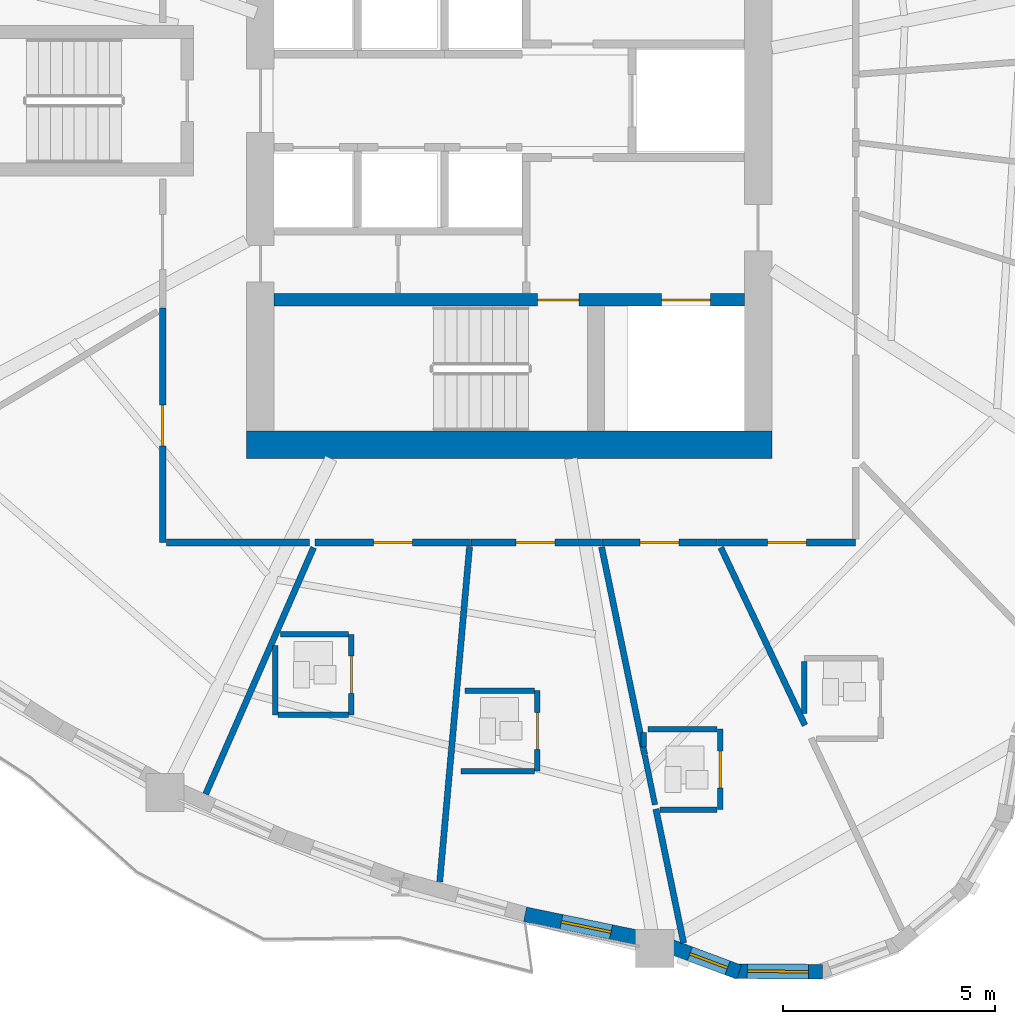
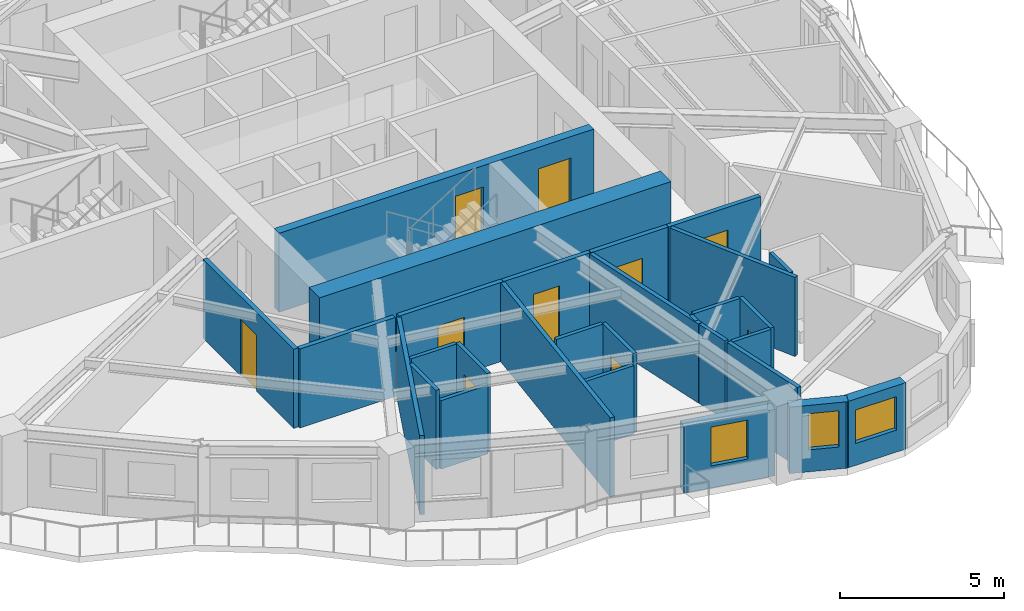
# One storey, part 5 of 14: 29 walls, 10 doors, 3 windows, 13 openings.
"""IFC4 building model written with IfcOpenShell, lengths in metres."""

from ifc_helpers import new_model, si_unit, direction, frame, frame_2d, origin, place, context, subcontext, project, spatial, rectangle, extrude, source, transform, mapped, material, layer, layer_set, type_object, element, fill, save


model = new_model("IFC4")

# Units and contexts
model_context = context("Model", 3, precision=1e-05, world=origin(), true_north=direction((0.0, 1.0)))
body_context = subcontext(model_context, "Body", "Model", "MODEL_VIEW")
ifc_project = project(units=[si_unit("LENGTHUNIT", "METRE"), si_unit("AREAUNIT", "SQUARE_METRE"), si_unit("VOLUMEUNIT", "CUBIC_METRE"), si_unit("PLANEANGLEUNIT", "RADIAN"), si_unit("MASSUNIT", "GRAM", prefix="KILO")], contexts=[model_context])

# Site, building, storey
site_placement = place(None, origin())
site = spatial("IfcSite", under=ifc_project, at=site_placement, CompositionType="ELEMENT")
building_placement = place(site_placement, origin())
building = spatial("IfcBuilding", under=site, at=building_placement, Name="Qafzar Sky-Pleat Residences", CompositionType="ELEMENT")
storey_placement = place(building_placement, frame((0.0, 0.0, 86.39990234375)))
storey = spatial("IfcBuildingStorey", under=building, at=storey_placement, Name="L25", CompositionType="ELEMENT", Elevation=86.39990234375)

# Wall, opening, door
ifc_material_1 = material(Name="Acoustic gypsum plasterboard partition", Category="gypsum")
ifc_layer_1 = layer(ifc_material_1, 0.159912109375)
ifc_layer_set_1 = layer_set([ifc_layer_1], Name="Acoustic gypsum plasterboard partition")
wall_type_1 = type_object("IfcWallType", Name="PART-COR-160", PredefinedType="PARTITIONING", material=ifc_layer_set_1)
wall_1_placement = place(storey_placement, frame((22.169921875, 15.570068359375, 0.0), z_axis=(0.0, 0.0, 1.0), x_axis=(0.0, 1.0, 0.0)))
wall_1 = element("IfcWall", 1, at=wall_1_placement, inside=storey, type_object=wall_type_1, Name="L25 Partition Wall PART-L25-PW-003", PredefinedType="PARTITIONING", context=body_context, shape_type="SweptSolid", body=[
    extrude(rectangle(XDim=5.54296875, YDim=0.159912109375, at=frame_2d((2.771484375, 0.0))), origin(), (0.0, 0.0, 1.0), 2.9501953125),
])
opening_1_placement = place(wall_1_placement, frame((2.282958984375, 0.0, 0.0)))
opening_1 = element("IfcOpeningElement", 2, at=opening_1_placement, cuts=wall_1, Name="Opening ID-06", PredefinedType="OPENING", context=body_context, shape_type="SweptSolid", body=[
    extrude(rectangle(XDim=0.9599609375, YDim=2.10009765625, at=frame_2d((0.47998046875, 1.050048828125))), frame((0.0, 0.08984375, 0.0), z_axis=(0.0, -1.0, 0.0), x_axis=(1.0, 0.0, 0.0)), (0.0, 0.0, 1.0), 0.179931640625),
])
ifc_material_2 = material(Name="Timber-faced fire door", Category="wood")
door_type_1 = type_object("IfcDoorType", Name="DR-STD-960", OperationType="NOTDEFINED", PredefinedType="DOOR", material=ifc_material_2)
shared_shape_1 = source(origin(), body_context, "Body", "SweptSolid", [
    extrude(rectangle(XDim=0.9599609375, YDim=2.10009765625, at=frame_2d((0.47998046875, 1.050048828125))), frame((0.0, 0.02490234375, 0.0), z_axis=(0.0, -1.0, 0.0), x_axis=(1.0, 0.0, 0.0)), (0.0, 0.0, 1.0), 0.050048828125),
])
door_1_placement = place(opening_1_placement, origin())
door_1 = element("IfcDoor", 3, at=door_1_placement, inside=storey, type_object=door_type_1, Name="L25 Scholar Co-Working Workspace Door", OperationType="SINGLE_SWING_LEFT", OverallHeight=2.10009765625, OverallWidth=0.9599609375, PredefinedType="DOOR", context=body_context, shape_type="MappedRepresentation", body=[
    mapped(shared_shape_1, transform((0.0, 0.0, 0.0), x_axis=(1.0, 0.0, 0.0), y_axis=(0.0, 1.0, 0.0), z_axis=(0.0, 0.0, 1.0), scale=1.0)),
])
fill(opening_1, door_1)

wall_2_placement = place(storey_placement, frame((29.43798828125, 15.570068359375, 0.0), z_axis=(0.0, 0.0, 1.0), x_axis=(-1.0, 0.0, 0.0)))
wall_2 = element("IfcWall", 4, at=wall_2_placement, inside=storey, type_object=wall_type_1, Name="L25 Partition Wall PART-L25-PW-009", PredefinedType="PARTITIONING", context=body_context, shape_type="SweptSolid", body=[
    extrude(rectangle(XDim=3.669921875, YDim=0.159912109375, at=frame_2d((1.8349609375, 0.0))), origin(), (0.0, 0.0, 1.0), 2.9501953125),
])
opening_2_placement = place(wall_2_placement, frame((1.3740234375, 0.0, 0.0)))
opening_2 = element("IfcOpeningElement", 5, at=opening_2_placement, cuts=wall_2, Name="Opening ID-04", PredefinedType="OPENING", context=body_context, shape_type="SweptSolid", body=[
    extrude(rectangle(XDim=0.919921875, YDim=2.10009765625, at=frame_2d((0.4599609375, 1.050048828125))), frame((0.0, 0.08984375, 0.0), z_axis=(0.0, -1.0, 0.0), x_axis=(1.0, 0.0, 0.0)), (0.0, 0.0, 1.0), 0.179931640625),
])
door_type_2 = type_object("IfcDoorType", Name="DR-BED-920", OperationType="NOTDEFINED", PredefinedType="DOOR", material=ifc_material_2)
shared_shape_2 = source(origin(), body_context, "Body", "SweptSolid", [
    extrude(rectangle(XDim=0.919921875, YDim=2.10009765625, at=frame_2d((0.4599609375, 1.050048828125))), frame((0.0, 0.02490234375, 0.0), z_axis=(0.0, -1.0, 0.0), x_axis=(1.0, 0.0, 0.0)), (0.0, 0.0, 1.0), 0.050048828125),
])
door_2_placement = place(opening_2_placement, origin())
door_2 = element("IfcDoor", 6, at=door_2_placement, inside=storey, type_object=door_type_2, Name="L25 Co-Living Bedroom 1 Door", OperationType="SINGLE_SWING_RIGHT", OverallHeight=2.10009765625, OverallWidth=0.919921875, PredefinedType="DOOR", context=body_context, shape_type="MappedRepresentation", body=[
    mapped(shared_shape_2, transform((0.0, 0.0, 0.0), x_axis=(1.0, 0.0, 0.0), y_axis=(0.0, 1.0, 0.0), z_axis=(0.0, 0.0, 1.0), scale=1.0)),
])
fill(opening_2, door_2)

wall_3_placement = place(storey_placement, frame((38.530029296875, 15.570068359375, 0.0), z_axis=(0.0, 0.0, 1.0), x_axis=(-1.0, 0.0, 0.0)))
wall_3 = element("IfcWall", 7, at=wall_3_placement, inside=storey, type_object=wall_type_1, Name="L25 Partition Wall PART-L25-PW-011", PredefinedType="PARTITIONING", context=body_context, shape_type="SweptSolid", body=[
    extrude(rectangle(XDim=3.257080078125, YDim=0.159912109375, at=frame_2d((1.62841796875, 0.0))), origin(), (0.0, 0.0, 1.0), 2.9501953125),
])
opening_3_placement = place(wall_3_placement, frame((1.159912109375, 0.0, 0.0)))
opening_3 = element("IfcOpeningElement", 8, at=opening_3_placement, cuts=wall_3, Name="Opening ID-04", PredefinedType="OPENING", context=body_context, shape_type="SweptSolid", body=[
    extrude(rectangle(XDim=0.919921875, YDim=2.10009765625, at=frame_2d((0.4599609375, 1.050048828125))), frame((0.0, 0.08984375, 0.0), z_axis=(0.0, -1.0, 0.0), x_axis=(1.0, 0.0, 0.0)), (0.0, 0.0, 1.0), 0.179931640625),
])
door_3_placement = place(opening_3_placement, origin())
door_3 = element("IfcDoor", 9, at=door_3_placement, inside=storey, type_object=door_type_2, Name="L25 Co-Living Bedroom 4 Door", OperationType="SINGLE_SWING_RIGHT", OverallHeight=2.10009765625, OverallWidth=0.919921875, PredefinedType="DOOR", context=body_context, shape_type="MappedRepresentation", body=[
    mapped(shared_shape_2, transform((0.0, 0.0, 0.0), x_axis=(1.0, 0.0, 0.0), y_axis=(0.0, 1.0, 0.0), z_axis=(0.0, 0.0, 1.0), scale=1.0)),
])
fill(opening_3, door_3)

wall_4_placement = place(storey_placement, frame((32.52490234375, 15.570068359375, 0.0), z_axis=(0.0, 0.0, 1.0), x_axis=(-1.0, 0.0, 0.0)))
wall_4 = element("IfcWall", 10, at=wall_4_placement, inside=storey, type_object=wall_type_1, Name="L25 Partition Wall PART-L25-PW-013", PredefinedType="PARTITIONING", context=body_context, shape_type="SweptSolid", body=[
    extrude(rectangle(XDim=3.072021484375, YDim=0.159912109375, at=frame_2d((1.5361328125, 0.0))), origin(), (0.0, 0.0, 1.0), 2.9501953125),
])
opening_4_placement = place(wall_4_placement, frame((1.098388671875, 0.0, 0.0)))
opening_4 = element("IfcOpeningElement", 11, at=opening_4_placement, cuts=wall_4, Name="Opening ID-04", PredefinedType="OPENING", context=body_context, shape_type="SweptSolid", body=[
    extrude(rectangle(XDim=0.919921875, YDim=2.10009765625, at=frame_2d((0.4599609375, 1.050048828125))), frame((0.0, 0.08984375, 0.0), z_axis=(0.0, -1.0, 0.0), x_axis=(1.0, 0.0, 0.0)), (0.0, 0.0, 1.0), 0.179931640625),
])
door_4_placement = place(opening_4_placement, origin())
door_4 = element("IfcDoor", 12, at=door_4_placement, inside=storey, type_object=door_type_2, Name="L25 Co-Living Bedroom 2 Door", OperationType="SINGLE_SWING_LEFT", OverallHeight=2.10009765625, OverallWidth=0.919921875, PredefinedType="DOOR", context=body_context, shape_type="MappedRepresentation", body=[
    mapped(shared_shape_2, transform((0.0, 0.0, 0.0), x_axis=(1.0, 0.0, 0.0), y_axis=(0.0, 1.0, 0.0), z_axis=(0.0, 0.0, 1.0), scale=1.0)),
])
fill(opening_4, door_4)

wall_5_placement = place(storey_placement, frame((35.258056640625, 15.570068359375, 0.0), z_axis=(0.0, 0.0, 1.0), x_axis=(-1.0, 0.0, 0.0)))
wall_5 = element("IfcWall", 13, at=wall_5_placement, inside=storey, type_object=wall_type_1, Name="L25 Partition Wall PART-L25-PW-016", PredefinedType="PARTITIONING", context=body_context, shape_type="SweptSolid", body=[
    extrude(rectangle(XDim=2.718017578125, YDim=0.159912109375, at=frame_2d((1.35888671875, 0.0))), origin(), (0.0, 0.0, 1.0), 2.9501953125),
])
opening_5_placement = place(wall_5_placement, frame((0.89794921875, 0.0, 0.0)))
opening_5 = element("IfcOpeningElement", 14, at=opening_5_placement, cuts=wall_5, Name="Opening ID-04", PredefinedType="OPENING", context=body_context, shape_type="SweptSolid", body=[
    extrude(rectangle(XDim=0.919921875, YDim=2.10009765625, at=frame_2d((0.4599609375, 1.050048828125))), frame((0.0, 0.08984375, 0.0), z_axis=(0.0, -1.0, 0.0), x_axis=(1.0, 0.0, 0.0)), (0.0, 0.0, 1.0), 0.179931640625),
])
door_5_placement = place(opening_5_placement, origin())
door_5 = element("IfcDoor", 15, at=door_5_placement, inside=storey, type_object=door_type_2, Name="L25 Co-Living Bedroom 3 Door", OperationType="SINGLE_SWING_RIGHT", OverallHeight=2.10009765625, OverallWidth=0.919921875, PredefinedType="DOOR", context=body_context, shape_type="MappedRepresentation", body=[
    mapped(shared_shape_2, transform((0.0, 0.0, 0.0), x_axis=(1.0, 0.0, 0.0), y_axis=(0.0, 1.0, 0.0), z_axis=(0.0, 0.0, 1.0), scale=1.0)),
])
fill(opening_5, door_5)

# Walls
wall_6_placement = place(storey_placement, frame((22.258056640625, 15.570068359375, 0.0), z_axis=(0.0, 0.0, 1.0), x_axis=(1.0, 0.0, 0.0)))
element("IfcWall", 16, at=wall_6_placement, inside=storey, type_object=wall_type_1, Name="L25 Partition Wall PART-L25-PW-043", PredefinedType="PARTITIONING", context=body_context, shape_type="SweptSolid", body=[
    extrude(rectangle(XDim=3.372802734375, YDim=0.159912109375, at=frame_2d((1.6865234375, 0.0))), origin(), (0.0, 0.0, 1.0), 2.9501953125),
])
ifc_layer_2 = layer(ifc_material_1, 0.14501953125)
ifc_layer_set_2 = layer_set([ifc_layer_2], Name="Acoustic gypsum plasterboard partition")
wall_type_2 = type_object("IfcWallType", Name="PART-UNIT-145", PredefinedType="PARTITIONING", material=ifc_layer_set_2)
wall_7_placement = place(storey_placement, frame((28.710693359375, 7.56396484375, 0.0), z_axis=(0.0, 0.0, 1.0), x_axis=(0.088615013812, 0.996065951294, 0.0)))
element("IfcWall", 17, at=wall_7_placement, inside=storey, type_object=wall_type_2, Name="L25 Partition Wall PART-L25-PW-028", PredefinedType="PARTITIONING", context=body_context, shape_type="SweptSolid", body=[
    extrude(rectangle(XDim=7.94287109375, YDim=0.14501953125, at=frame_2d((3.971435546875, 0.0))), origin(), (0.0, 0.0, 1.0), 2.9501953125),
])
wall_8_placement = place(storey_placement, frame((23.186279296875, 9.633544921875, 0.0), z_axis=(0.0, 0.0, 1.0), x_axis=(0.400994208685, 0.916080588486, 0.0)))
element("IfcWall", 18, at=wall_8_placement, inside=storey, type_object=wall_type_2, Name="L25 Partition Wall PART-L25-PW-033", PredefinedType="PARTITIONING", context=body_context, shape_type="SweptSolid", body=[
    extrude(rectangle(XDim=6.353271484375, YDim=0.14501953125, at=frame_2d((3.1767578125, 0.0))), origin(), (0.0, 0.0, 1.0), 2.9501953125),
])
wall_9_placement = place(storey_placement, frame((32.53125, 15.467529296875, 0.0), z_axis=(0.0, 0.0, 1.0), x_axis=(0.202792769077, -0.979221677053, 0.0)))
element("IfcWall", 19, at=wall_9_placement, inside=storey, type_object=wall_type_2, Name="L25 Partition Wall PART-L25-PW-038", PredefinedType="PARTITIONING", context=body_context, shape_type="SweptSolid", body=[
    extrude(rectangle(XDim=5.00341796875, YDim=0.14501953125, at=frame_2d((2.501708984375, 0.0))), origin(), (0.0, 0.0, 1.0), 2.9501953125),
])
wall_10_placement = place(storey_placement, frame((35.345947265625, 15.45166015625, 0.0), z_axis=(0.0, 0.0, 1.0), x_axis=(0.428023015228, -0.903767834366, 0.0)))
element("IfcWall", 20, at=wall_10_placement, inside=storey, type_object=wall_type_2, Name="L25 Partition Wall PART-L25-PW-040", PredefinedType="PARTITIONING", context=body_context, shape_type="SweptSolid", body=[
    extrude(rectangle(XDim=4.64013671875, YDim=0.14501953125, at=frame_2d((2.320068359375, 0.0))), origin(), (0.0, 0.0, 1.0), 2.9501953125),
])
wall_11_placement = place(storey_placement, frame((33.81298828125, 9.280029296875, 0.0), z_axis=(0.0, 0.0, 1.0), x_axis=(0.202648062782, -0.979251633979, 0.0)))
element("IfcWall", 21, at=wall_11_placement, inside=storey, type_object=wall_type_2, Name="L25 Partition Wall PART-L25-PW-046", PredefinedType="PARTITIONING", context=body_context, shape_type="SweptSolid", body=[
    extrude(rectangle(XDim=3.232421875, YDim=0.14501953125, at=frame_2d((1.6162109375, 0.0))), origin(), (0.0, 0.0, 1.0), 2.9501953125),
])

# Wall, opening, door
ifc_material_3 = material(Name="Moisture-resistant gypsum partition", Category="gypsum")
ifc_layer_3 = layer(ifc_material_3, 0.1298828125)
ifc_layer_set_3 = layer_set([ifc_layer_3], Name="Moisture-resistant gypsum partition")
wall_type_3 = type_object("IfcWallType", Name="PART-WET-130", PredefinedType="PARTITIONING", material=ifc_layer_set_3)
wall_12_placement = place(storey_placement, frame((26.625, 11.5, 0.0), z_axis=(0.0, 0.0, 1.0), x_axis=(0.0, 1.0, 0.0)))
wall_12 = element("IfcWall", 22, at=wall_12_placement, inside=storey, type_object=wall_type_3, Name="L25 Partition Wall PART-L25-PW-018", PredefinedType="PARTITIONING", context=body_context, shape_type="SweptSolid", body=[
    extrude(rectangle(XDim=1.89990234375, YDim=0.1298828125, at=frame_2d((0.949951171875, 0.0))), origin(), (0.0, 0.0, 1.0), 2.9501953125),
])
opening_6_placement = place(wall_12_placement, frame((0.510009765625, 0.0, 0.0)))
opening_6 = element("IfcOpeningElement", 23, at=opening_6_placement, cuts=wall_12, Name="Opening ID-07", PredefinedType="OPENING", context=body_context, shape_type="SweptSolid", body=[
    extrude(rectangle(XDim=0.8798828125, YDim=2.050048828125, at=frame_2d((0.43994140625, 1.02490234375))), frame((0.0, 0.074951171875, 0.0), z_axis=(0.0, -1.0, 0.0), x_axis=(1.0, 0.0, 0.0)), (0.0, 0.0, 1.0), 0.14990234375),
])
door_type_3 = type_object("IfcDoorType", Name="DR-WET-880", OperationType="NOTDEFINED", PredefinedType="DOOR", material=ifc_material_2)
shared_shape_3 = source(origin(), body_context, "Body", "SweptSolid", [
    extrude(rectangle(XDim=0.8798828125, YDim=2.050048828125, at=frame_2d((0.43994140625, 1.02490234375))), frame((0.0, 0.02490234375, 0.0), z_axis=(0.0, -1.0, 0.0), x_axis=(1.0, 0.0, 0.0)), (0.0, 0.0, 1.0), 0.050048828125),
])
door_6_placement = place(opening_6_placement, origin())
door_6 = element("IfcDoor", 24, at=door_6_placement, inside=storey, type_object=door_type_3, Name="L25 En-suite Bathroom 1 Door", OperationType="SINGLE_SWING_RIGHT", OverallHeight=2.050048828125, OverallWidth=0.8798828125, PredefinedType="DOOR", context=body_context, shape_type="MappedRepresentation", body=[
    mapped(shared_shape_3, transform((0.0, 0.0, 0.0), x_axis=(1.0, 0.0, 0.0), y_axis=(0.0, 1.0, 0.0), z_axis=(0.0, 0.0, 1.0), scale=1.0)),
])
fill(opening_6, door_6)

wall_13_placement = place(storey_placement, frame((31.01806640625, 10.174072265625, 0.0), z_axis=(0.0, 0.0, 1.0), x_axis=(0.0, 1.0, 0.0)))
wall_13 = element("IfcWall", 25, at=wall_13_placement, inside=storey, type_object=wall_type_3, Name="L25 Partition Wall PART-L25-PW-019", PredefinedType="PARTITIONING", context=body_context, shape_type="SweptSolid", body=[
    extrude(rectangle(XDim=1.89990234375, YDim=0.1298828125, at=frame_2d((0.949951171875, 0.0))), origin(), (0.0, 0.0, 1.0), 2.9501953125),
])
opening_7_placement = place(wall_13_placement, frame((0.510009765625, 0.0, 0.0)))
opening_7 = element("IfcOpeningElement", 26, at=opening_7_placement, cuts=wall_13, Name="Opening ID-07", PredefinedType="OPENING", context=body_context, shape_type="SweptSolid", body=[
    extrude(rectangle(XDim=0.8798828125, YDim=2.050048828125, at=frame_2d((0.43994140625, 1.02490234375))), frame((0.0, 0.074951171875, 0.0), z_axis=(0.0, -1.0, 0.0), x_axis=(1.0, 0.0, 0.0)), (0.0, 0.0, 1.0), 0.14990234375),
])
door_7_placement = place(opening_7_placement, origin())
door_7 = element("IfcDoor", 27, at=door_7_placement, inside=storey, type_object=door_type_3, Name="L25 En-suite Bathroom 2 Door", OperationType="SINGLE_SWING_LEFT", OverallHeight=2.050048828125, OverallWidth=0.8798828125, PredefinedType="DOOR", context=body_context, shape_type="MappedRepresentation", body=[
    mapped(shared_shape_3, transform((0.0, 0.0, 0.0), x_axis=(1.0, 0.0, 0.0), y_axis=(0.0, 1.0, 0.0), z_axis=(0.0, 0.0, 1.0), scale=1.0)),
])
fill(opening_7, door_7)

wall_14_placement = place(storey_placement, frame((35.3310546875, 9.264892578125, 0.0), z_axis=(0.0, 0.0, 1.0), x_axis=(0.0, 1.0, 0.0)))
wall_14 = element("IfcWall", 28, at=wall_14_placement, inside=storey, type_object=wall_type_3, Name="L25 Partition Wall PART-L25-PW-021", PredefinedType="PARTITIONING", context=body_context, shape_type="SweptSolid", body=[
    extrude(rectangle(XDim=1.900146484375, YDim=0.1298828125, at=frame_2d((0.9501953125, 0.0))), origin(), (0.0, 0.0, 1.0), 2.9501953125),
])
opening_8_placement = place(wall_14_placement, frame((0.510009765625, 0.0, 0.0)))
opening_8 = element("IfcOpeningElement", 29, at=opening_8_placement, cuts=wall_14, Name="Opening ID-07", PredefinedType="OPENING", context=body_context, shape_type="SweptSolid", body=[
    extrude(rectangle(XDim=0.8798828125, YDim=2.050048828125, at=frame_2d((0.43994140625, 1.02490234375))), frame((0.0, 0.074951171875, 0.0), z_axis=(0.0, -1.0, 0.0), x_axis=(1.0, 0.0, 0.0)), (0.0, 0.0, 1.0), 0.14990234375),
])
door_8_placement = place(opening_8_placement, origin())
door_8 = element("IfcDoor", 30, at=door_8_placement, inside=storey, type_object=door_type_3, Name="L25 En-suite Bathroom 3 Door", OperationType="SINGLE_SWING_LEFT", OverallHeight=2.050048828125, OverallWidth=0.8798828125, PredefinedType="DOOR", context=body_context, shape_type="MappedRepresentation", body=[
    mapped(shared_shape_3, transform((0.0, 0.0, 0.0), x_axis=(1.0, 0.0, 0.0), y_axis=(0.0, 1.0, 0.0), z_axis=(0.0, 0.0, 1.0), scale=1.0)),
])
fill(opening_8, door_8)

# Walls
wall_15_placement = place(storey_placement, frame((24.824951171875, 11.5, 0.0), z_axis=(0.0, 0.0, 1.0), x_axis=(0.0, 1.0, 0.0)))
element("IfcWall", 31, at=wall_15_placement, inside=storey, type_object=wall_type_3, Name="L25 Partition Wall PART-L25-PW-050", PredefinedType="PARTITIONING", context=body_context, shape_type="SweptSolid", body=[
    extrude(rectangle(XDim=1.636962890625, YDim=0.1298828125, at=frame_2d((0.818359375, 0.0))), origin(), (0.0, 0.0, 1.0), 2.9501953125),
])
wall_16_placement = place(storey_placement, frame((33.62646484375, 11.1650390625, 0.0), z_axis=(0.0, 0.0, 1.0), x_axis=(1.0, 0.0, 0.0)))
element("IfcWall", 32, at=wall_16_placement, inside=storey, type_object=wall_type_3, Name="L25 Partition Wall PART-L25-PW-051", PredefinedType="PARTITIONING", context=body_context, shape_type="SweptSolid", body=[
    extrude(rectangle(XDim=1.631591796875, YDim=0.1298828125, at=frame_2d((0.81591796875, 0.0))), origin(), (0.0, 0.0, 1.0), 2.9501953125),
])
wall_17_placement = place(storey_placement, frame((24.89794921875, 11.5, 0.0), z_axis=(0.0, 0.0, 1.0), x_axis=(1.0, 0.0, 0.0)))
element("IfcWall", 33, at=wall_17_placement, inside=storey, type_object=wall_type_3, Name="L25 Partition Wall PART-L25-PW-052", PredefinedType="PARTITIONING", context=body_context, shape_type="SweptSolid", body=[
    extrude(rectangle(XDim=1.654052734375, YDim=0.1298828125, at=frame_2d((0.8271484375, 0.0))), origin(), (0.0, 0.0, 1.0), 2.55810546875),
])
wall_18_placement = place(storey_placement, frame((29.3046875, 12.073974609375, 0.0), z_axis=(0.0, 0.0, 1.0), x_axis=(1.0, 0.0, 0.0)))
element("IfcWall", 34, at=wall_18_placement, inside=storey, type_object=wall_type_3, Name="L25 Partition Wall PART-L25-PW-053", PredefinedType="PARTITIONING", context=body_context, shape_type="SweptSolid", body=[
    extrude(rectangle(XDim=1.640380859375, YDim=0.1298828125, at=frame_2d((0.8203125, 0.0))), origin(), (0.0, 0.0, 1.0), 2.9501953125),
])
wall_19_placement = place(storey_placement, frame((29.218017578125, 10.174072265625, 0.0), z_axis=(0.0, 0.0, 1.0), x_axis=(1.0, 0.0, 0.0)))
element("IfcWall", 35, at=wall_19_placement, inside=storey, type_object=wall_type_3, Name="L25 Partition Wall PART-L25-PW-054", PredefinedType="PARTITIONING", context=body_context, shape_type="SweptSolid", body=[
    extrude(rectangle(XDim=1.72705078125, YDim=0.1298828125, at=frame_2d((0.863525390625, 0.0))), origin(), (0.0, 0.0, 1.0), 2.55810546875),
])
wall_20_placement = place(storey_placement, frame((24.95068359375, 13.39990234375, 0.0), z_axis=(0.0, 0.0, 1.0), x_axis=(1.0, 0.0, 0.0)))
element("IfcWall", 36, at=wall_20_placement, inside=storey, type_object=wall_type_3, Name="L25 Partition Wall PART-L25-PW-058", PredefinedType="PARTITIONING", context=body_context, shape_type="SweptSolid", body=[
    extrude(rectangle(XDim=1.601318359375, YDim=0.1298828125, at=frame_2d((0.80078125, 0.0))), origin(), (0.0, 0.0, 1.0), 2.9501953125),
])
wall_21_placement = place(storey_placement, frame((37.31689453125, 11.530029296875, 0.0), z_axis=(0.0, 0.0, 1.0), x_axis=(0.0, 1.0, 0.0)))
element("IfcWall", 37, at=wall_21_placement, inside=storey, type_object=wall_type_3, Name="L25 Partition Wall PART-L25-PW-060", PredefinedType="PARTITIONING", context=body_context, shape_type="SweptSolid", body=[
    extrude(rectangle(XDim=1.236083984375, YDim=0.1298828125, at=frame_2d((0.6181640625, 0.0))), origin(), (0.0, 0.0, 1.0), 2.9501953125),
])
wall_22_placement = place(storey_placement, frame((33.91162109375, 9.264892578125, 0.0), z_axis=(0.0, 0.0, 1.0), x_axis=(1.0, 0.0, 0.0)))
element("IfcWall", 38, at=wall_22_placement, inside=storey, type_object=wall_type_3, Name="L25 Partition Wall PART-L25-PW-061", PredefinedType="PARTITIONING", context=body_context, shape_type="SweptSolid", body=[
    extrude(rectangle(XDim=1.346435546875, YDim=0.1298828125, at=frame_2d((0.67333984375, 0.0))), origin(), (0.0, 0.0, 1.0), 2.9501953125),
])
wall_23_placement = place(storey_placement, frame((33.549072265625, 10.55322265625, 0.0), z_axis=(0.0, 0.0, 1.0), x_axis=(0.202855035592, -0.97920877985, 0.0)))
element("IfcWall", 39, at=wall_23_placement, inside=storey, type_object=wall_type_3, Name="L25 Partition Wall PART-L25-PW-067", PredefinedType="PARTITIONING", context=body_context, shape_type="SweptSolid", body=[
    extrude(rectangle(XDim=1.197509765625, YDim=0.1298828125, at=frame_2d((0.5986328125, 0.0))), origin(), (0.0, 0.0, 1.0), 2.9501953125),
])
wall_24_placement = place(storey_placement, frame((33.531005859375, 10.741943359375, 0.0), z_axis=(0.0, 0.0, 1.0), x_axis=(0.0, 1.0, 0.0)))
element("IfcWall", 40, at=wall_24_placement, inside=storey, type_object=wall_type_3, Name="L25 Partition Wall PART-L25-PW-071", PredefinedType="PARTITIONING", context=body_context, shape_type="SweptSolid", body=[
    extrude(rectangle(XDim=0.35009765625, YDim=0.1298828125, at=frame_2d((0.175048828125, 0.0))), origin(), (0.0, 0.0, 1.0), 2.9501953125),
])

# Wall, opening, window
ifc_material_4 = material(Name="Precast concrete C40/50 with honed Riyadh limestone", Category="concrete")
ifc_layer_4 = layer(ifc_material_4, 0.35009765625)
ifc_layer_set_4 = layer_set([ifc_layer_4], Name="Precast concrete C40/50 with honed Riyadh limestone")
wall_type_4 = type_object("IfcWallType", Name="WALL-EXT-350", PredefinedType="SOLIDWALL", material=ifc_layer_set_4)
wall_25_placement = place(storey_placement, frame((30.723876953125, 6.794189453125, 0.0), z_axis=(0.0, 0.0, 1.0), x_axis=(0.979439663571, -0.201737317878, 0.0)))
wall_25 = element("IfcWall", 41, at=wall_25_placement, inside=storey, type_object=wall_type_4, Name="L25 Limestone Facade Wall 16", PredefinedType="SOLIDWALL", context=body_context, shape_type="SweptSolid", body=[
    extrude(rectangle(XDim=2.938232421875, YDim=0.35009765625, at=frame_2d((1.46923828125, 0.0))), origin(), (0.0, 0.0, 1.0), 2.47998046875),
])
opening_9_placement = place(wall_25_placement, frame((0.874267578125, 0.0, 0.820068359375)))
opening_9 = element("IfcOpeningElement", 42, at=opening_9_placement, cuts=wall_25, Name="Opening WN-05", PredefinedType="OPENING", context=body_context, shape_type="SweptSolid", body=[
    extrude(rectangle(XDim=1.199951171875, YDim=1.449951171875, at=frame_2d((0.60009765625, 0.72509765625))), frame((0.0, 0.18505859375, 0.0), z_axis=(0.0, -1.0, 0.0), x_axis=(1.0, 0.0, 0.0)), (0.0, 0.0, 1.0), 0.3701171875),
])
ifc_material_5 = material(Name="Solar-control low-E glass in bronze aluminium frame", Category="glass")
window_type_1 = type_object("IfcWindowType", Name="WIN-05", PartitioningType="SINGLE_PANEL", PredefinedType="WINDOW", material=ifc_material_5)
shared_shape_4 = source(origin(), body_context, "Body", "SweptSolid", [
    extrude(rectangle(XDim=1.199951171875, YDim=1.449951171875, at=frame_2d((0.60009765625, 0.72509765625))), frame((0.0, 0.030029296875, 0.0), z_axis=(0.0, -1.0, 0.0), x_axis=(1.0, 0.0, 0.0)), (0.0, 0.0, 1.0), 0.06005859375),
])
window_1_placement = place(opening_9_placement, origin())
window_1 = element("IfcWindow", 43, at=window_1_placement, inside=storey, type_object=window_type_1, Name="L25 Punched Facade Window 16", OverallHeight=1.449951171875, OverallWidth=1.199951171875, PartitioningType="SINGLE_PANEL", PredefinedType="WINDOW", context=body_context, shape_type="MappedRepresentation", body=[
    mapped(shared_shape_4, transform((0.0, 0.0, 0.0), x_axis=(1.0, 0.0, 0.0), y_axis=(0.0, 1.0, 0.0), z_axis=(0.0, 0.0, 1.0), scale=1.0)),
])
fill(opening_9, window_1)

wall_26_placement = place(storey_placement, frame((34.05908203125, 6.06982421875, 0.0), z_axis=(0.0, 0.0, 1.0), x_axis=(0.936803747811, -0.349855310219, 0.0)))
wall_26 = element("IfcWall", 44, at=wall_26_placement, inside=storey, type_object=wall_type_4, Name="L25 Limestone Facade Wall 17", PredefinedType="SOLIDWALL", context=body_context, shape_type="SweptSolid", body=[
    extrude(rectangle(XDim=1.8359375, YDim=0.35009765625, at=frame_2d((0.91796875, 0.0))), origin(), (0.0, 0.0, 1.0), 2.47998046875),
])
opening_10_placement = place(wall_26_placement, frame((0.59326171875, 0.0, 0.820068359375)))
opening_10 = element("IfcOpeningElement", 45, at=opening_10_placement, cuts=wall_26, Name="Opening WN-12", PredefinedType="OPENING", context=body_context, shape_type="SweptSolid", body=[
    extrude(rectangle(XDim=0.949951171875, YDim=1.35009765625, at=frame_2d((0.47509765625, 0.675048828125))), frame((0.0, 0.18505859375, 0.0), z_axis=(0.0, -1.0, 0.0), x_axis=(1.0, 0.0, 0.0)), (0.0, 0.0, 1.0), 0.3701171875),
])
window_type_2 = type_object("IfcWindowType", Name="WIN-12", PartitioningType="SINGLE_PANEL", PredefinedType="WINDOW", material=ifc_material_5)
shared_shape_5 = source(origin(), body_context, "Body", "SweptSolid", [
    extrude(rectangle(XDim=0.949951171875, YDim=1.35009765625, at=frame_2d((0.47509765625, 0.675048828125))), frame((0.0, 0.030029296875, 0.0), z_axis=(0.0, -1.0, 0.0), x_axis=(1.0, 0.0, 0.0)), (0.0, 0.0, 1.0), 0.06005859375),
])
window_2_placement = place(opening_10_placement, origin())
window_2 = element("IfcWindow", 46, at=window_2_placement, inside=storey, type_object=window_type_2, Name="L25 Punched Facade Window 17", OverallHeight=1.35009765625, OverallWidth=0.949951171875, PartitioningType="SINGLE_PANEL", PredefinedType="WINDOW", context=body_context, shape_type="MappedRepresentation", body=[
    mapped(shared_shape_5, transform((0.0, 0.0, 0.0), x_axis=(1.0, 0.0, 0.0), y_axis=(0.0, 1.0, 0.0), z_axis=(0.0, 0.0, 1.0), scale=1.0)),
])
fill(opening_10, window_2)

wall_27_placement = place(storey_placement, frame((35.6455078125, 5.4521484375, 0.0), z_axis=(0.0, 0.0, 1.0), x_axis=(0.999976451414, -0.006862697526, 0.0)))
wall_27 = element("IfcWall", 47, at=wall_27_placement, inside=storey, type_object=wall_type_4, Name="L25 Limestone Facade Wall 18", PredefinedType="SOLIDWALL", context=body_context, shape_type="SweptSolid", body=[
    extrude(rectangle(XDim=2.098876953125, YDim=0.35009765625, at=frame_2d((1.04931640625, 0.0))), origin(), (0.0, 0.0, 1.0), 2.47998046875),
])
opening_11_placement = place(wall_27_placement, frame((0.324462890625, 0.0, 0.820068359375)))
opening_11 = element("IfcOpeningElement", 48, at=opening_11_placement, cuts=wall_27, Name="Opening WN-15", PredefinedType="OPENING", context=body_context, shape_type="SweptSolid", body=[
    extrude(rectangle(XDim=1.449951171875, YDim=1.25, at=frame_2d((0.72509765625, 0.625))), frame((0.0, 0.18505859375, 0.0), z_axis=(0.0, -1.0, 0.0), x_axis=(1.0, 0.0, 0.0)), (0.0, 0.0, 1.0), 0.3701171875),
])
window_type_3 = type_object("IfcWindowType", Name="WIN-15", PartitioningType="SINGLE_PANEL", PredefinedType="WINDOW", material=ifc_material_5)
shared_shape_6 = source(origin(), body_context, "Body", "SweptSolid", [
    extrude(rectangle(XDim=1.449951171875, YDim=1.25, at=frame_2d((0.72509765625, 0.625))), frame((0.0, 0.030029296875, 0.0), z_axis=(0.0, -1.0, 0.0), x_axis=(1.0, 0.0, 0.0)), (0.0, 0.0, 1.0), 0.06005859375),
])
window_3_placement = place(opening_11_placement, origin())
window_3 = element("IfcWindow", 49, at=window_3_placement, inside=storey, type_object=window_type_3, Name="L25 Punched Facade Window 18", OverallHeight=1.25, OverallWidth=1.449951171875, PartitioningType="SINGLE_PANEL", PredefinedType="WINDOW", context=body_context, shape_type="MappedRepresentation", body=[
    mapped(shared_shape_6, transform((0.0, 0.0, 0.0), x_axis=(1.0, 0.0, 0.0), y_axis=(0.0, 1.0, 0.0), z_axis=(0.0, 0.0, 1.0), scale=1.0)),
])
fill(opening_11, window_3)

# Wall, openings, doors
ifc_material_6 = material(Name="Concrete C60/75", Category="concrete")
ifc_layer_5 = layer(ifc_material_6, 0.300048828125)
ifc_layer_set_5 = layer_set([ifc_layer_5], Name="Concrete C60/75")
wall_type_5 = type_object("IfcWallType", Name="WALL-SHEAR-300", PredefinedType="SHEAR", material=ifc_layer_set_5)
wall_28_placement = place(storey_placement, frame((24.800048828125, 21.300048828125, 0.0), z_axis=(0.0, 0.0, 1.0), x_axis=(1.0, 0.0, 0.0)))
wall_28 = element("IfcWall", 50, at=wall_28_placement, inside=storey, type_object=wall_type_5, Name="L25 Stair ST1 and FF1 Shaft North Wall", PredefinedType="SHEAR", context=body_context, shape_type="SweptSolid", body=[
    extrude(rectangle(XDim=11.099853515625, YDim=0.300048828125, at=frame_2d((5.5498046875, 0.0))), origin(), (0.0, 0.0, 1.0), 2.9501953125),
])
opening_12_placement = place(wall_28_placement, frame((6.219970703125, 0.0, 0.0)))
opening_12 = element("IfcOpeningElement", 51, at=opening_12_placement, cuts=wall_28, Name="Opening ID-01", PredefinedType="OPENING", context=body_context, shape_type="SweptSolid", body=[
    extrude(rectangle(XDim=0.97998046875, YDim=2.14990234375, at=frame_2d((0.489990234375, 1.074951171875))), frame((0.0, 0.16015625, 0.0), z_axis=(0.0, -1.0, 0.0), x_axis=(1.0, 0.0, 0.0)), (0.0, 0.0, 1.0), 0.320068359375),
])
opening_13_placement = place(wall_28_placement, frame((9.14990234375, 0.0, 0.0)))
opening_13 = element("IfcOpeningElement", 52, at=opening_13_placement, cuts=wall_28, Name="Opening LD-02", PredefinedType="OPENING", context=body_context, shape_type="SweptSolid", body=[
    extrude(rectangle(XDim=1.14990234375, YDim=2.14990234375, at=frame_2d((0.574951171875, 1.074951171875))), frame((0.0, 0.16015625, 0.0), z_axis=(0.0, -1.0, 0.0), x_axis=(1.0, 0.0, 0.0)), (0.0, 0.0, 1.0), 0.320068359375),
])
door_type_4 = type_object("IfcDoorType", Name="DR-STAIR-980", OperationType="NOTDEFINED", PredefinedType="DOOR", material=ifc_material_2)
shared_shape_7 = source(origin(), body_context, "Body", "SweptSolid", [
    extrude(rectangle(XDim=0.97998046875, YDim=2.14990234375, at=frame_2d((0.489990234375, 1.074951171875))), frame((0.0, 0.02490234375, 0.0), z_axis=(0.0, -1.0, 0.0), x_axis=(1.0, 0.0, 0.0)), (0.0, 0.0, 1.0), 0.050048828125),
])
door_9_placement = place(opening_12_placement, origin())
door_9 = element("IfcDoor", 53, at=door_9_placement, inside=storey, type_object=door_type_4, Name="L25 Stair ST1 Fire Door", OperationType="SINGLE_SWING_LEFT", OverallHeight=2.14990234375, OverallWidth=0.97998046875, PredefinedType="DOOR", context=body_context, shape_type="MappedRepresentation", body=[
    mapped(shared_shape_7, transform((0.0, 0.0, 0.0), x_axis=(1.0, 0.0, 0.0), y_axis=(0.0, 1.0, 0.0), z_axis=(0.0, 0.0, 1.0), scale=1.0)),
])
fill(opening_12, door_9)
ifc_material_7 = material(Name="Stainless steel sliding landing door", Category="steel")
door_type_5 = type_object("IfcDoorType", Name="DR-LIFT-FF", OperationType="DOUBLE_DOOR_SLIDING", PredefinedType="DOOR", material=ifc_material_7)
shared_shape_8 = source(origin(), body_context, "Body", "SweptSolid", [
    extrude(rectangle(XDim=1.14990234375, YDim=2.14990234375, at=frame_2d((0.574951171875, 1.074951171875))), frame((0.0, 0.02490234375, 0.0), z_axis=(0.0, -1.0, 0.0), x_axis=(1.0, 0.0, 0.0)), (0.0, 0.0, 1.0), 0.050048828125),
])
door_10_placement = place(opening_13_placement, origin())
door_10 = element("IfcDoor", 54, at=door_10_placement, inside=storey, type_object=door_type_5, Name="L25 Firefighting Lift FF1 Landing Door", OperationType="DOUBLE_DOOR_SLIDING", OverallHeight=2.14990234375, OverallWidth=1.14990234375, PredefinedType="DOOR", context=body_context, shape_type="MappedRepresentation", body=[
    mapped(shared_shape_8, transform((0.0, 0.0, 0.0), x_axis=(1.0, 0.0, 0.0), y_axis=(0.0, 1.0, 0.0), z_axis=(0.0, 0.0, 1.0), scale=1.0)),
])
fill(opening_13, door_10)

# Wall
ifc_layer_6 = layer(ifc_material_6, 0.64990234375)
ifc_layer_set_6 = layer_set([ifc_layer_6], Name="Concrete C60/75")
wall_type_6 = type_object("IfcWallType", Name="WALL-SHEAR-650", PredefinedType="SHEAR", material=ifc_layer_set_6)
wall_29_placement = place(storey_placement, frame((24.14990234375, 17.875, 0.0), z_axis=(0.0, 0.0, 1.0), x_axis=(1.0, 0.0, 0.0)))
element("IfcWall", 55, at=wall_29_placement, inside=storey, type_object=wall_type_6, Name="L25 CORE wall S", PredefinedType="SHEAR", context=body_context, shape_type="SweptSolid", body=[
    extrude(rectangle(XDim=12.400146484375, YDim=0.64990234375, at=frame_2d((6.2001953125, 0.0))), origin(), (0.0, 0.0, 1.0), 2.9501953125),
])

save(model, "model.ifc")
